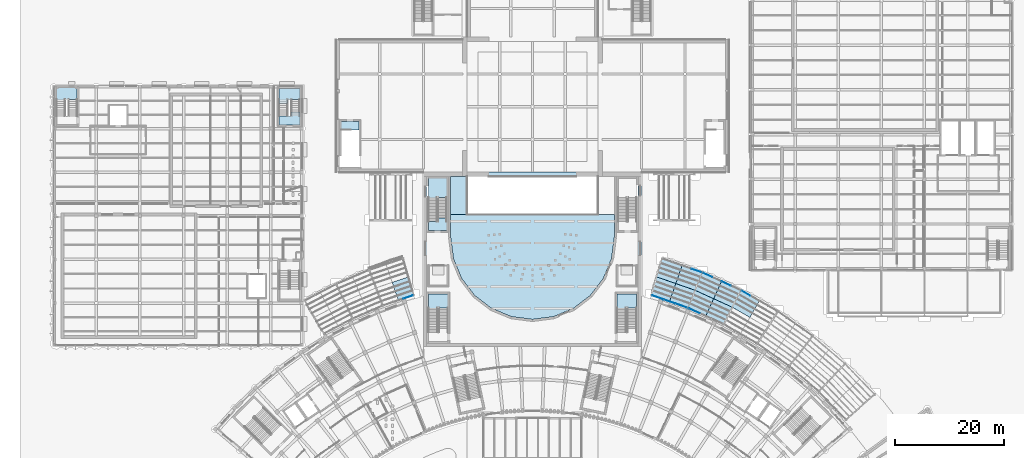
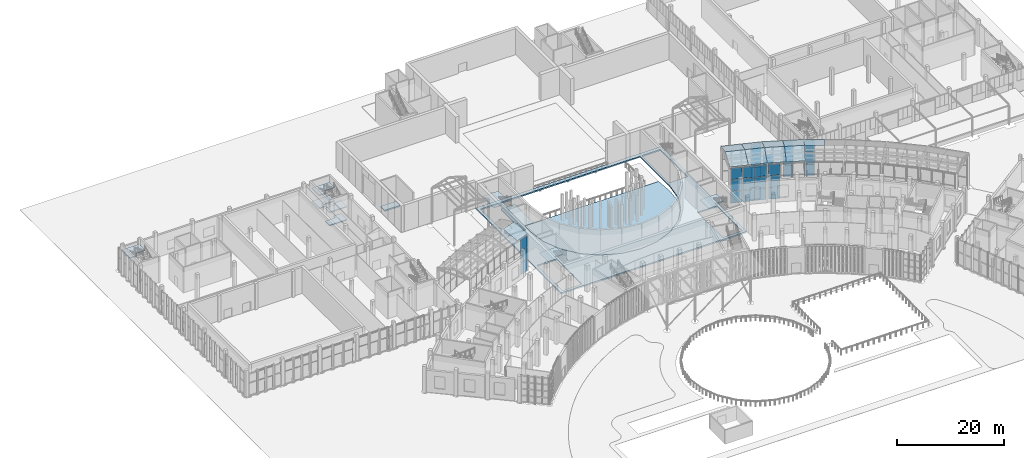
# One storey, part 84 of 155: 36 plates, 13 slabs, 11 elements without a shape of their own.
"""IFC4 building model written with IfcOpenShell, lengths in metres."""

from ifc_helpers import new_model, si_unit, direction, frame, origin, origin_2d, place, context, subcontext, project, spatial, polyline, rectangle, outline, extrude, material, layer, layer_set, type_object, element, aggregate, save


model = new_model("IFC4")

# Units and contexts
model_context = context("Model", 3, precision=1e-05, world=origin(), true_north=direction((0.0, 1.0)))
body_context = subcontext(model_context, "Body", "Model", "MODEL_VIEW")
ifc_project = project(units=[si_unit("LENGTHUNIT", "METRE"), si_unit("AREAUNIT", "SQUARE_METRE"), si_unit("VOLUMEUNIT", "CUBIC_METRE"), si_unit("PLANEANGLEUNIT", "RADIAN"), si_unit("MASSUNIT", "GRAM", prefix="KILO")], contexts=[model_context])

# Site, building, storey
site_placement = place(None, origin())
site = spatial("IfcSite", under=ifc_project, at=site_placement, CompositionType="ELEMENT")
building_placement = place(site_placement, origin())
building = spatial("IfcBuilding", under=site, at=building_placement, Name="Lunette Opera House", CompositionType="ELEMENT")
storey_placement = place(building_placement, origin())
storey = spatial("IfcBuildingStorey", under=building, at=storey_placement, Name="L00", CompositionType="ELEMENT", Elevation=0.0)

# Slabs
ifc_material_1 = material(Name="Concrete C35/45", Category="concrete")
ifc_layer_1 = layer(ifc_material_1, 0.199951171875)
ifc_layer_set_1 = layer_set([ifc_layer_1], Name="Concrete C35/45")
slab_type_1 = type_object("IfcSlabType", Name="CORE LANDING SLAB 200", PredefinedType="LANDING", material=ifc_layer_set_1)
slab_1_placement = place(storey_placement, frame((0.0, 0.0, -0.199951171875)))
element("IfcSlab", 1, at=slab_1_placement, inside=storey, type_object=slab_type_1, Name="ST17 floor landing", PredefinedType="LANDING", context=body_context, shape_type="SweptSolid", body=[
    extrude(outline(polyline([(53.3349609375, 104.699951171875), (49.5, 104.699951171875), (49.5, 106.31005859375), (51.10009765625, 106.31005859375), (51.10009765625, 106.300048828125), (51.735107421875, 106.300048828125), (51.735107421875, 107.0), (53.3349609375, 107.0), (53.3349609375, 104.699951171875)])), origin(), (0.0, 0.0, 1.0), 0.199951171875),
])
ifc_material_2 = material(Name="Concrete C35/45", Category="concrete")
ifc_layer_2 = layer(ifc_material_2, 0.300048828125)
ifc_layer_set_2 = layer_set([ifc_layer_2], Name="Concrete C35/45")
slab_type_2 = type_object("IfcSlabType", Name="CORE LANDING SLAB 300", PredefinedType="LANDING", material=ifc_layer_set_2)
slab_2_placement = place(storey_placement, frame((0.0, 0.0, -0.300048828125)))
element("IfcSlab", 2, at=slab_2_placement, inside=storey, type_object=slab_type_2, Name="ST10 floor landing", PredefinedType="LANDING", context=body_context, shape_type="SweptSolid", body=[
    extrude(outline(polyline([(76.89990234375, 85.300048828125), (76.89990234375, 86.929931640625), (78.52001953125, 86.929931640625), (78.52001953125, 86.919921875), (78.679931640625, 86.919921875), (78.679931640625, 87.6201171875), (80.300048828125, 87.6201171875), (80.300048828125, 85.300048828125), (76.89990234375, 85.300048828125)])), origin(), (0.0, 0.0, 1.0), 0.300048828125),
])
slab_3_placement = place(storey_placement, frame((0.0, 0.0, -0.300048828125)))
element("IfcSlab", 3, at=slab_3_placement, inside=storey, type_object=slab_type_2, Name="ST13 floor landing", PredefinedType="LANDING", context=body_context, shape_type="SweptSolid", body=[
    extrude(outline(polyline([(64.199951171875, 103.739990234375), (62.64990234375, 103.739990234375), (62.64990234375, 103.75), (60.89990234375, 103.75), (60.89990234375, 105.300048828125), (64.199951171875, 105.300048828125), (64.199951171875, 103.739990234375)])), origin(), (0.0, 0.0, 1.0), 0.300048828125),
])

# Curtain wall, plates
ifc_material_3 = material(Name="Aluminium", Category="aluminium")
ifc_layer_3 = layer(ifc_material_3, 0.139892578125)
ifc_layer_set_3 = layer_set([ifc_layer_3], Name="Aluminium")
curtain_wall_type = type_object("IfcCurtainWallType", Name="PASSAGE CURTAIN WALL", PredefinedType="NOTDEFINED", material=ifc_layer_set_3)
curtain_wall_1_placement = place(storey_placement, origin())
curtain_wall_1 = element("IfcCurtainWall", 4, at=curtain_wall_1_placement, inside=storey, type_object=curtain_wall_type, Name="Passage Curtain Wall EI1 L00", PredefinedType="NOTDEFINED")
ifc_material_4 = material(Name="Laminated glass", Category="glass")
ifc_layer_4 = layer(ifc_material_4, 0.028076171875)
ifc_layer_set_4 = layer_set([ifc_layer_4], Name="Laminated glass")
plate_type_1 = type_object("IfcPlateType", Name="CURTAIN PANEL LAMINATED GLASS 28", PredefinedType="CURTAIN_PANEL", material=ifc_layer_set_4)
plate_1_placement = place(storey_placement, frame((118.991943359375, 73.016357421875, 0.06005859375), z_axis=(0.0, 0.0, 1.0), x_axis=(0.944461387328, -0.328622409228, 0.0)))
plate_1 = element("IfcPlate", 5, at=plate_1_placement, type_object=plate_type_1, Name="PP-X2001 panel 1.1", PredefinedType="CURTAIN_PANEL", context=body_context, shape_type="SweptSolid", body=[
    extrude(rectangle(XDim=2.1962890625, YDim=0.028076171875, at=origin_2d()), origin(), (0.0, 0.0, 1.0), 2.610107421875),
])
plate_2_placement = place(storey_placement, frame((118.991943359375, 73.016357421875, 2.72998046875), z_axis=(0.0, 0.0, 1.0), x_axis=(0.944461387328, -0.328622409228, 0.0)))
plate_2 = element("IfcPlate", 6, at=plate_2_placement, type_object=plate_type_1, Name="PP-X2001 panel 1.2", PredefinedType="CURTAIN_PANEL", context=body_context, shape_type="SweptSolid", body=[
    extrude(rectangle(XDim=2.1962890625, YDim=0.028076171875, at=origin_2d()), origin(), (0.0, 0.0, 1.0), 2.639892578125),
])
plate_3_placement = place(storey_placement, frame((118.991943359375, 73.016357421875, 5.43017578125), z_axis=(0.0, 0.0, 1.0), x_axis=(0.944461387328, -0.328622409228, 0.0)))
plate_3 = element("IfcPlate", 7, at=plate_3_placement, type_object=plate_type_1, Name="PP-X2001 panel 1.3", PredefinedType="CURTAIN_PANEL", context=body_context, shape_type="SweptSolid", body=[
    extrude(rectangle(XDim=2.1962890625, YDim=0.028076171875, at=origin_2d()), origin(), (0.0, 0.0, 1.0), 2.610107421875),
])
plate_4_placement = place(storey_placement, frame((121.136962890625, 72.27001953125, 0.06005859375), z_axis=(0.0, 0.0, 1.0), x_axis=(0.944461387328, -0.328622409228, 0.0)))
plate_4 = element("IfcPlate", 8, at=plate_4_placement, type_object=plate_type_1, Name="PP-X2001 panel 2.1", PredefinedType="CURTAIN_PANEL", context=body_context, shape_type="SweptSolid", body=[
    extrude(rectangle(XDim=2.226318359375, YDim=0.028076171875, at=origin_2d()), origin(), (0.0, 0.0, 1.0), 2.610107421875),
])
plate_5_placement = place(storey_placement, frame((121.136962890625, 72.27001953125, 2.72998046875), z_axis=(0.0, 0.0, 1.0), x_axis=(0.944461387328, -0.328622409228, 0.0)))
plate_5 = element("IfcPlate", 9, at=plate_5_placement, type_object=plate_type_1, Name="PP-X2001 panel 2.2", PredefinedType="CURTAIN_PANEL", context=body_context, shape_type="SweptSolid", body=[
    extrude(rectangle(XDim=2.226318359375, YDim=0.028076171875, at=origin_2d()), origin(), (0.0, 0.0, 1.0), 2.639892578125),
])
plate_6_placement = place(storey_placement, frame((121.136962890625, 72.27001953125, 5.43017578125), z_axis=(0.0, 0.0, 1.0), x_axis=(0.944461387328, -0.328622409228, 0.0)))
plate_6 = element("IfcPlate", 10, at=plate_6_placement, type_object=plate_type_1, Name="PP-X2001 panel 2.3", PredefinedType="CURTAIN_PANEL", context=body_context, shape_type="SweptSolid", body=[
    extrude(rectangle(XDim=2.226318359375, YDim=0.028076171875, at=origin_2d()), origin(), (0.0, 0.0, 1.0), 2.610107421875),
])
plate_7_placement = place(storey_placement, frame((123.2822265625, 71.523681640625, 0.06005859375), z_axis=(0.0, 0.0, 1.0), x_axis=(0.944461387328, -0.328622409228, 0.0)))
plate_7 = element("IfcPlate", 11, at=plate_7_placement, type_object=plate_type_1, Name="PP-X2001 panel 3.1", PredefinedType="CURTAIN_PANEL", context=body_context, shape_type="SweptSolid", body=[
    extrude(rectangle(XDim=2.1962890625, YDim=0.028076171875, at=origin_2d()), origin(), (0.0, 0.0, 1.0), 2.610107421875),
])
plate_8_placement = place(storey_placement, frame((123.2822265625, 71.523681640625, 2.72998046875), z_axis=(0.0, 0.0, 1.0), x_axis=(0.944461387328, -0.328622409228, 0.0)))
plate_8 = element("IfcPlate", 12, at=plate_8_placement, type_object=plate_type_1, Name="PP-X2001 panel 3.2", PredefinedType="CURTAIN_PANEL", context=body_context, shape_type="SweptSolid", body=[
    extrude(rectangle(XDim=2.1962890625, YDim=0.028076171875, at=origin_2d()), origin(), (0.0, 0.0, 1.0), 2.639892578125),
])
plate_9_placement = place(storey_placement, frame((123.2822265625, 71.523681640625, 5.43017578125), z_axis=(0.0, 0.0, 1.0), x_axis=(0.944461387328, -0.328622409228, 0.0)))
plate_9 = element("IfcPlate", 13, at=plate_9_placement, type_object=plate_type_1, Name="PP-X2001 panel 3.3", PredefinedType="CURTAIN_PANEL", context=body_context, shape_type="SweptSolid", body=[
    extrude(rectangle(XDim=2.1962890625, YDim=0.028076171875, at=origin_2d()), origin(), (0.0, 0.0, 1.0), 2.610107421875),
])
aggregate(curtain_wall_1, [plate_1, plate_2, plate_3, plate_4, plate_5, plate_6, plate_7, plate_8, plate_9])

curtain_wall_2_placement = place(storey_placement, origin())
curtain_wall_2 = element("IfcCurtainWall", 14, at=curtain_wall_2_placement, inside=storey, type_object=curtain_wall_type, Name="Passage Curtain Wall EI2 L00", PredefinedType="NOTDEFINED")
plate_10_placement = place(storey_placement, frame((125.707763671875, 70.551025390625, 0.06005859375), z_axis=(0.0, 0.0, 1.0), x_axis=(0.909696383384, -0.415273993958, 0.0)))
plate_10 = element("IfcPlate", 15, at=plate_10_placement, type_object=plate_type_1, Name="PP-X2002 panel 1.1", PredefinedType="CURTAIN_PANEL", context=body_context, shape_type="SweptSolid", body=[
    extrude(rectangle(XDim=2.19677734375, YDim=0.028076171875, at=origin_2d()), origin(), (0.0, 0.0, 1.0), 2.610107421875),
])
plate_11_placement = place(storey_placement, frame((125.707763671875, 70.551025390625, 2.72998046875), z_axis=(0.0, 0.0, 1.0), x_axis=(0.909696383384, -0.415273993958, 0.0)))
plate_11 = element("IfcPlate", 16, at=plate_11_placement, type_object=plate_type_1, Name="PP-X2002 panel 1.2", PredefinedType="CURTAIN_PANEL", context=body_context, shape_type="SweptSolid", body=[
    extrude(rectangle(XDim=2.19677734375, YDim=0.028076171875, at=origin_2d()), origin(), (0.0, 0.0, 1.0), 2.639892578125),
])
plate_12_placement = place(storey_placement, frame((125.707763671875, 70.551025390625, 5.43017578125), z_axis=(0.0, 0.0, 1.0), x_axis=(0.909696383384, -0.415273993958, 0.0)))
plate_12 = element("IfcPlate", 17, at=plate_12_placement, type_object=plate_type_1, Name="PP-X2002 panel 1.3", PredefinedType="CURTAIN_PANEL", context=body_context, shape_type="SweptSolid", body=[
    extrude(rectangle(XDim=2.19677734375, YDim=0.028076171875, at=origin_2d()), origin(), (0.0, 0.0, 1.0), 2.610107421875),
])
aggregate(curtain_wall_2, [plate_10, plate_11, plate_12])

curtain_wall_3_placement = place(storey_placement, origin())
curtain_wall_3 = element("IfcCurtainWall", 18, at=curtain_wall_3_placement, inside=storey, type_object=curtain_wall_type, Name="Passage Curtain Wall EO1 L00", PredefinedType="NOTDEFINED")
plate_13_placement = place(storey_placement, frame((126.080810546875, 77.95263671875, 0.06005859375), z_axis=(0.0, 0.0, 1.0), x_axis=(0.94446267546, -0.328618707109, 0.0)))
plate_13 = element("IfcPlate", 19, at=plate_13_placement, type_object=plate_type_1, Name="PP-X2007 panel 4.1", PredefinedType="CURTAIN_PANEL", context=body_context, shape_type="SweptSolid", body=[
    extrude(rectangle(XDim=1.788330078125, YDim=0.028076171875, at=origin_2d()), origin(), (0.0, 0.0, 1.0), 2.610107421875),
])
plate_14_placement = place(storey_placement, frame((126.080810546875, 77.95263671875, 2.72998046875), z_axis=(0.0, 0.0, 1.0), x_axis=(0.94446267546, -0.328618707109, 0.0)))
plate_14 = element("IfcPlate", 20, at=plate_14_placement, type_object=plate_type_1, Name="PP-X2007 panel 4.2", PredefinedType="CURTAIN_PANEL", context=body_context, shape_type="SweptSolid", body=[
    extrude(rectangle(XDim=1.788330078125, YDim=0.028076171875, at=origin_2d()), origin(), (0.0, 0.0, 1.0), 2.639892578125),
])
plate_15_placement = place(storey_placement, frame((126.080810546875, 77.95263671875, 5.43017578125), z_axis=(0.0, 0.0, 1.0), x_axis=(0.94446267546, -0.328618707109, 0.0)))
plate_15 = element("IfcPlate", 21, at=plate_15_placement, type_object=plate_type_1, Name="PP-X2007 panel 4.3", PredefinedType="CURTAIN_PANEL", context=body_context, shape_type="SweptSolid", body=[
    extrude(rectangle(XDim=1.788330078125, YDim=0.028076171875, at=origin_2d()), origin(), (0.0, 0.0, 1.0), 2.610107421875),
])
aggregate(curtain_wall_3, [plate_13, plate_14, plate_15])

curtain_wall_4_placement = place(storey_placement, origin())
curtain_wall_4 = element("IfcCurtainWall", 22, at=curtain_wall_4_placement, inside=storey, type_object=curtain_wall_type, Name="Passage Curtain Wall EO2 L00", PredefinedType="NOTDEFINED")
plate_16_placement = place(storey_placement, frame((128.128173828125, 77.1318359375, 0.06005859375), z_axis=(0.0, 0.0, 1.0), x_axis=(0.909727345747, -0.415206161321, 0.0)))
plate_16 = element("IfcPlate", 23, at=plate_16_placement, type_object=plate_type_1, Name="PP-X2008 panel 1.1", PredefinedType="CURTAIN_PANEL", context=body_context, shape_type="SweptSolid", body=[
    extrude(rectangle(XDim=1.78857421875, YDim=0.028076171875, at=origin_2d()), origin(), (0.0, 0.0, 1.0), 2.610107421875),
])
plate_17_placement = place(storey_placement, frame((128.128173828125, 77.1318359375, 2.72998046875), z_axis=(0.0, 0.0, 1.0), x_axis=(0.909727345747, -0.415206161321, 0.0)))
plate_17 = element("IfcPlate", 24, at=plate_17_placement, type_object=plate_type_1, Name="PP-X2008 panel 1.2", PredefinedType="CURTAIN_PANEL", context=body_context, shape_type="SweptSolid", body=[
    extrude(rectangle(XDim=1.78857421875, YDim=0.028076171875, at=origin_2d()), origin(), (0.0, 0.0, 1.0), 2.639892578125),
])
plate_18_placement = place(storey_placement, frame((131.532470703125, 75.577880859375, 0.06005859375), z_axis=(0.0, 0.0, 1.0), x_axis=(0.909727345747, -0.415206161321, 0.0)))
plate_18 = element("IfcPlate", 25, at=plate_18_placement, type_object=plate_type_1, Name="PP-X2008 panel 3.1", PredefinedType="CURTAIN_PANEL", context=body_context, shape_type="SweptSolid", body=[
    extrude(rectangle(XDim=1.818603515625, YDim=0.028076171875, at=origin_2d()), origin(), (0.0, 0.0, 1.0), 2.610107421875),
])
plate_19_placement = place(storey_placement, frame((131.532470703125, 75.577880859375, 2.72998046875), z_axis=(0.0, 0.0, 1.0), x_axis=(0.909727345747, -0.415206161321, 0.0)))
plate_19 = element("IfcPlate", 26, at=plate_19_placement, type_object=plate_type_1, Name="PP-X2008 panel 3.2", PredefinedType="CURTAIN_PANEL", context=body_context, shape_type="SweptSolid", body=[
    extrude(rectangle(XDim=1.818603515625, YDim=0.028076171875, at=origin_2d()), origin(), (0.0, 0.0, 1.0), 2.639892578125),
])
plate_20_placement = place(storey_placement, frame((131.532470703125, 75.577880859375, 5.43017578125), z_axis=(0.0, 0.0, 1.0), x_axis=(0.909727345747, -0.415206161321, 0.0)))
plate_20 = element("IfcPlate", 27, at=plate_20_placement, type_object=plate_type_1, Name="PP-X2008 panel 3.3", PredefinedType="CURTAIN_PANEL", context=body_context, shape_type="SweptSolid", body=[
    extrude(rectangle(XDim=1.818603515625, YDim=0.028076171875, at=origin_2d()), origin(), (0.0, 0.0, 1.0), 2.610107421875),
])
aggregate(curtain_wall_4, [plate_16, plate_17, plate_18, plate_19, plate_20])

curtain_wall_5_placement = place(storey_placement, origin())
curtain_wall_5 = element("IfcCurtainWall", 28, at=curtain_wall_5_placement, inside=storey, type_object=curtain_wall_type, Name="Passage Curtain Wall EO3 L00", PredefinedType="NOTDEFINED")
plate_21_placement = place(storey_placement, frame((135.189208984375, 73.79541015625, 0.06005859375), z_axis=(0.0, 0.0, 1.0), x_axis=(0.866937932475, -0.498416112536, 0.0)))
plate_21 = element("IfcPlate", 29, at=plate_21_placement, type_object=plate_type_1, Name="PP-X2009 panel 1.1", PredefinedType="CURTAIN_PANEL", context=body_context, shape_type="SweptSolid", body=[
    extrude(rectangle(XDim=1.788330078125, YDim=0.028076171875, at=origin_2d()), origin(), (0.0, 0.0, 1.0), 2.610107421875),
])
plate_22_placement = place(storey_placement, frame((135.189208984375, 73.79541015625, 2.72998046875), z_axis=(0.0, 0.0, 1.0), x_axis=(0.866937932475, -0.498416112536, 0.0)))
plate_22 = element("IfcPlate", 30, at=plate_22_placement, type_object=plate_type_1, Name="PP-X2009 panel 1.2", PredefinedType="CURTAIN_PANEL", context=body_context, shape_type="SweptSolid", body=[
    extrude(rectangle(XDim=1.788330078125, YDim=0.028076171875, at=origin_2d()), origin(), (0.0, 0.0, 1.0), 2.639892578125),
])
plate_23_placement = place(storey_placement, frame((135.189208984375, 73.79541015625, 5.43017578125), z_axis=(0.0, 0.0, 1.0), x_axis=(0.866937932475, -0.498416112536, 0.0)))
plate_23 = element("IfcPlate", 31, at=plate_23_placement, type_object=plate_type_1, Name="PP-X2009 panel 1.3", PredefinedType="CURTAIN_PANEL", context=body_context, shape_type="SweptSolid", body=[
    extrude(rectangle(XDim=1.788330078125, YDim=0.028076171875, at=origin_2d()), origin(), (0.0, 0.0, 1.0), 2.610107421875),
])
aggregate(curtain_wall_5, [plate_21, plate_22, plate_23])

curtain_wall_6_placement = place(storey_placement, origin())
curtain_wall_6 = element("IfcCurtainWall", 32, at=curtain_wall_6_placement, inside=storey, type_object=curtain_wall_type, Name="Passage Curtain Wall WI3 L00", PredefinedType="NOTDEFINED")
plate_24_placement = place(storey_placement, frame((73.18603515625, 73.0869140625, 0.06005859375), z_axis=(0.0, 0.0, 1.0), x_axis=(0.946865501729, 0.321629789721, 0.0)))
plate_24 = element("IfcPlate", 33, at=plate_24_placement, type_object=plate_type_1, Name="PP-X2015 panel 3.1", PredefinedType="CURTAIN_PANEL", context=body_context, shape_type="SweptSolid", body=[
    extrude(rectangle(XDim=1.81494140625, YDim=0.028076171875, at=origin_2d()), origin(), (0.0, 0.0, 1.0), 2.610107421875),
])
plate_25_placement = place(storey_placement, frame((73.18603515625, 73.0869140625, 2.72998046875), z_axis=(0.0, 0.0, 1.0), x_axis=(0.946865501729, 0.321629789721, 0.0)))
plate_25 = element("IfcPlate", 34, at=plate_25_placement, type_object=plate_type_1, Name="PP-X2015 panel 3.2", PredefinedType="CURTAIN_PANEL", context=body_context, shape_type="SweptSolid", body=[
    extrude(rectangle(XDim=1.81494140625, YDim=0.028076171875, at=origin_2d()), origin(), (0.0, 0.0, 1.0), 2.639892578125),
])
plate_26_placement = place(storey_placement, frame((73.18603515625, 73.0869140625, 5.43017578125), z_axis=(0.0, 0.0, 1.0), x_axis=(0.946865501729, 0.321629789721, 0.0)))
plate_26 = element("IfcPlate", 35, at=plate_26_placement, type_object=plate_type_1, Name="PP-X2015 panel 3.3", PredefinedType="CURTAIN_PANEL", context=body_context, shape_type="SweptSolid", body=[
    extrude(rectangle(XDim=1.81494140625, YDim=0.028076171875, at=origin_2d()), origin(), (0.0, 0.0, 1.0), 2.610107421875),
])
aggregate(curtain_wall_6, [plate_24, plate_25, plate_26])

# Slabs
ifc_material_5 = material(Name="Concrete C35/45", Category="concrete")
ifc_layer_5 = layer(ifc_material_5, 0.300048828125)
ifc_layer_set_5 = layer_set([ifc_layer_5], Name="Concrete C35/45")
slab_type_3 = type_object("IfcSlabType", Name="FLOOR SLAB 300", PredefinedType="FLOOR", material=ifc_layer_set_5)
slab_4_placement = place(storey_placement, frame((0.0, 0.0, -0.300048828125)))
element("IfcSlab", 36, at=slab_4_placement, inside=storey, type_object=slab_type_3, Name="slab-AU-L00-F1", PredefinedType="FLOOR", context=body_context, shape_type="SweptSolid", body=[
    extrude(outline(polyline([(116.0, 96.0), (76.0, 96.0), (76.0, 64.0), (116.0, 64.0), (116.0, 96.0)]), holes=[polyline([(84.0, 95.199951171875), (108.0, 95.199951171875), (111.0, 95.199951171875), (111.0, 84.0), (110.489013671875, 80.117919921875), (108.989990234375, 76.5), (106.60693359375, 73.39306640625), (103.5, 71.010009765625), (99.882080078125, 69.510986328125), (96.0, 69.0), (92.117919921875, 69.510986328125), (88.5, 71.010009765625), (85.39306640625, 73.39306640625), (83.010009765625, 76.5), (81.510986328125, 80.117919921875), (81.0, 84.0), (81.0, 95.199951171875), (84.0, 95.199951171875)]), polyline([(80.800048828125, 64.60009765625), (76.60009765625, 64.60009765625), (76.60009765625, 74.0), (80.800048828125, 74.0), (80.800048828125, 64.60009765625)]), polyline([(115.39990234375, 64.60009765625), (111.199951171875, 64.60009765625), (111.199951171875, 74.0), (115.39990234375, 74.0), (115.39990234375, 64.60009765625)]), polyline([(80.60009765625, 85.0), (76.60009765625, 85.0), (76.60009765625, 95.199951171875), (80.60009765625, 95.199951171875), (80.60009765625, 85.0)]), polyline([(115.39990234375, 85.0), (111.39990234375, 85.0), (111.39990234375, 95.199951171875), (115.39990234375, 95.199951171875), (115.39990234375, 85.0)])]), origin(), (0.0, 0.0, 1.0), 0.300048828125),
])
slab_5_placement = place(storey_placement, frame((0.0, 0.0, -1.800048828125)))
element("IfcSlab", 37, at=slab_5_placement, inside=storey, type_object=slab_type_3, Name="slab-AU-L00-FS1", PredefinedType="FLOOR", context=body_context, shape_type="SweptSolid", body=[
    extrude(outline(polyline([(84.0, 95.199951171875), (81.0, 95.199951171875), (81.0, 88.199951171875), (84.0, 88.199951171875), (84.0, 95.199951171875)])), origin(), (0.0, 0.0, 1.0), 0.300048828125),
])

# Plates
ifc_material_6 = material(Name="Laminated glass", Category="glass")
ifc_layer_6 = layer(ifc_material_6, 0.02001953125)
ifc_layer_set_6 = layer_set([ifc_layer_6], Name="Laminated glass")
plate_type_2 = type_object("IfcPlateType", Name="PASSAGE ROOF GLASS 20", PredefinedType="SHEET", material=ifc_layer_set_6)
plate_27_placement = place(storey_placement, frame((71.39697265625, 72.47900390625, 8.339111328125), z_axis=(0.096455988769, -0.284046338686, 0.953946497299), x_axis=(0.946867877863, 0.321622793347, 2.5891909e-05)))
element("IfcPlate", 38, at=plate_27_placement, inside=storey, type_object=plate_type_2, Name="Passage roof glass W3A10", PredefinedType="SHEET", context=body_context, shape_type="SweptSolid", body=[
    extrude(outline(polyline([(0.0, 0.0), (3.0066831563015124, -1.1102230246251565e-16), (3.144957649475433, 3.6629350328907693), (2.9713929072305605e-06, 3.6634659994371015), (0.0, 0.0)])), origin(), (0.0, 0.0, -1.0), 0.02001953125),
])
plate_28_placement = place(storey_placement, frame((117.756103515625, 73.446044921875, 8.339111328125), z_axis=(-0.098591145782, -0.283428285251, 0.953912046833), x_axis=(0.944490247157, -0.328539454287, 1.049867e-06)))
element("IfcPlate", 39, at=plate_28_placement, inside=storey, type_object=plate_type_2, Name="Passage roof glass E1A00", PredefinedType="SHEET", context=body_context, shape_type="SweptSolid", body=[
    extrude(outline(polyline([(0.0, 0.0), (3.5795594467622065, 0.0), (3.5799120399758158, 3.661856859083461), (-0.16379743763171825, 3.6618824799152803), (0.0, 0.0)])), origin(), (0.0, 0.0, -1.0), 0.02001953125),
])
plate_29_placement = place(storey_placement, frame((121.136962890625, 72.27001953125, 8.339111328125), z_axis=(-0.098602103688, -0.283439776295, 0.953907499898), x_axis=(0.944496297081, -0.328522061072, 1.373542e-05)))
element("IfcPlate", 40, at=plate_29_placement, inside=storey, type_object=plate_type_2, Name="Passage roof glass E1A10", PredefinedType="SHEET", context=body_context, shape_type="SweptSolid", body=[
    extrude(outline(polyline([(0.0, 0.0), (3.579790035757607, 4.440892098500626e-16), (3.7434485659543215, 3.661521690157713), (0.00043085955334725004, 3.6618568503502655), (0.0, 0.0)])), origin(), (0.0, 0.0, -1.0), 0.02001953125),
])
plate_30_placement = place(storey_placement, frame((119.743896484375, 80.156982421875, 8.339111328125), z_axis=(0.098566764574, 0.283395009308, 0.953924452785), x_axis=(0.944539484969, -0.328397868557, -3.5520663e-05)))
element("IfcPlate", 41, at=plate_30_placement, inside=storey, type_object=plate_type_2, Name="Passage roof glass E1B00", PredefinedType="SHEET", context=body_context, shape_type="SweptSolid", body=[
    extrude(outline(polyline([(0.0, 0.0), (3.90684695180016, -2.220446049250313e-16), (3.9060229559435107, -3.6628131424492123), (0.16323592843953078, -3.6619075504173684), (0.0, 0.0)])), origin(), (0.0, 0.0, -1.0), 0.02001953125),
])
plate_31_placement = place(storey_placement, frame((123.43408203125, 78.8740234375, 8.339111328125), z_axis=(0.098559931211, 0.283413664041, 0.953919616631), x_axis=(0.944464014779, -0.328614854036, 4.9932418e-05)))
element("IfcPlate", 42, at=plate_31_placement, inside=storey, type_object=plate_type_2, Name="Passage roof glass E1B10", PredefinedType="SHEET", context=body_context, shape_type="SweptSolid", body=[
    extrude(outline(polyline([(0.0, 0.0), (3.906937167176419, 0.0), (3.74369175576223, -3.661540126570756), (7.262361248744223e-05, -3.6628132315931965), (0.0, 0.0)])), origin(), (0.0, 0.0, -1.0), 0.02001953125),
])
plate_32_placement = place(storey_placement, frame((124.51806640625, 71.093994140625, 8.339111328125), z_axis=(-0.124626270248, -0.272993259714, 0.953909310634), x_axis=(0.909664684082, -0.415343426798, -1.8701179e-05)))
element("IfcPlate", 43, at=plate_32_placement, inside=storey, type_object=plate_type_2, Name="Passage roof glass E2A00", PredefinedType="SHEET", context=body_context, shape_type="SweptSolid", body=[
    extrude(outline(polyline([(0.0, 0.0), (3.5802694575879324, 4.440892098500626e-16), (3.579487881127074, 3.6619863233622105), (-0.16347344794699373, 3.6615299577564757), (0.0, 0.0)])), origin(), (0.0, 0.0, -1.0), 0.02001953125),
])
plate_33_placement = place(storey_placement, frame((127.77490234375, 69.60693359375, 8.339111328125), z_axis=(-0.124587983776, -0.27300088036, 0.953912130975), x_axis=(0.909754532158, -0.415146589927, 9.537948e-06)))
element("IfcPlate", 44, at=plate_33_placement, inside=storey, type_object=plate_type_2, Name="Passage roof glass E2A10", PredefinedType="SHEET", context=body_context, shape_type="SweptSolid", body=[
    extrude(outline(polyline([(0.0, 0.0), (3.5790962748241117, 0.0), (3.7426431739740047, 3.6617536929602954), (5.295469835135742e-06, 3.661986407261995), (0.0, 0.0)])), origin(), (0.0, 0.0, -1.0), 0.02001953125),
])
plate_34_placement = place(storey_placement, frame((127.1240234375, 77.590087890625, 8.339111328125), z_axis=(0.124624676934, 0.272981002946, 0.953913026397), x_axis=(0.909721763233, -0.415218391569, -2.8354651e-05)))
element("IfcPlate", 45, at=plate_34_placement, inside=storey, type_object=plate_type_2, Name="Passage roof glass E2B00", PredefinedType="SHEET", context=body_context, shape_type="SweptSolid", body=[
    extrude(outline(polyline([(0.0, 0.0), (3.906623706289082, -2.220446049250313e-16), (3.9062071388758444, -3.6622764924632665), (0.1629416682443077, -3.661553659844929), (0.0, 0.0)])), origin(), (0.0, 0.0, -1.0), 0.02001953125),
])
plate_35_placement = place(storey_placement, frame((130.677978515625, 75.968017578125, 8.339111328125), z_axis=(0.124574833652, 0.272994031651, 0.953915808394), x_axis=(0.909728087104, -0.415204536501, 2.0059695e-05)))
element("IfcPlate", 46, at=plate_35_placement, inside=storey, type_object=plate_type_2, Name="Passage roof glass E2B10", PredefinedType="SHEET", context=body_context, shape_type="SweptSolid", body=[
    extrude(outline(polyline([(0.0, 0.0), (3.9066237071511565, 0.0), (3.7433318204794115, -3.661765073077311), (-0.000416572592390568, -3.662276493382269), (0.0, 0.0)])), origin(), (0.0, 0.0, -1.0), 0.02001953125),
])
plate_36_placement = place(storey_placement, frame((134.23193359375, 74.345947265625, 8.339111328125), z_axis=(0.149615349024, 0.260155635699, 0.953904760734), x_axis=(0.866853191351, -0.498563480957, 1.0018346e-05)))
element("IfcPlate", 47, at=plate_36_placement, inside=storey, type_object=plate_type_2, Name="Passage roof glass E3B00", PredefinedType="SHEET", context=body_context, shape_type="SweptSolid", body=[
    extrude(outline(polyline([(0.0, 0.0), (3.9072002778736317, 0.0), (3.907615140149245, -3.661456347083683), (0.16448368233614075, -3.661711732779062), (0.0, 0.0)])), origin(), (0.0, 0.0, -1.0), 0.02001953125),
])

# Stair, slab
ifc_material_7 = material(Name="Concrete C35/45", Category="concrete")
stair_type_1 = type_object("IfcStairType", Name="DOGLEG STAIR 1620", PredefinedType="HALF_TURN_STAIR", material=ifc_material_7)
stair_1_placement = place(storey_placement, origin())
stair_1 = element("IfcStair", 48, at=stair_1_placement, inside=storey, type_object=stair_type_1, Name="L00 stair ST10", PredefinedType="HALF_TURN_STAIR")
ifc_material_8 = material(Name="Concrete C35/45", Category="concrete")
ifc_layer_7 = layer(ifc_material_8, 0.199951171875)
ifc_layer_set_7 = layer_set([ifc_layer_7], Name="Concrete C35/45")
slab_type_4 = type_object("IfcSlabType", Name="STAIR LANDING SLAB 200", PredefinedType="LANDING", material=ifc_layer_set_7)
slab_6_placement = place(storey_placement, frame((0.0, 0.0, 2.800048828125)))
slab_6 = element("IfcSlab", 49, at=slab_6_placement, type_object=slab_type_4, Name="ST10 landing 1", PredefinedType="LANDING", context=body_context, shape_type="SweptSolid", body=[
    extrude(outline(polyline([(80.300048828125, 91.389892578125), (78.679931640625, 91.389892578125), (78.679931640625, 91.39990234375), (78.52001953125, 91.39990234375), (78.52001953125, 90.699951171875), (76.89990234375, 90.699951171875), (76.89990234375, 94.89990234375), (80.300048828125, 94.89990234375), (80.300048828125, 91.389892578125)])), origin(), (0.0, 0.0, 1.0), 0.199951171875),
])
aggregate(stair_1, [slab_6])

ifc_material_9 = material(Name="Concrete C35/45", Category="concrete")
stair_type_2 = type_object("IfcStairType", Name="DOGLEG STAIR 1600", PredefinedType="HALF_TURN_STAIR", material=ifc_material_9)
stair_2_placement = place(storey_placement, origin())
stair_2 = element("IfcStair", 50, at=stair_2_placement, inside=storey, type_object=stair_type_2, Name="L00 stair ST15", PredefinedType="HALF_TURN_STAIR")
slab_7_placement = place(storey_placement, frame((0.0, 0.0, 4.300048828125)))
slab_7 = element("IfcSlab", 51, at=slab_7_placement, type_object=slab_type_4, Name="ST15 landing 3", PredefinedType="LANDING", context=body_context, shape_type="SweptSolid", body=[
    extrude(outline(polyline([(12.5, 109.330078125), (10.89990234375, 109.330078125), (10.89990234375, 109.340087890625), (10.300048828125, 109.340087890625), (10.300048828125, 108.639892578125), (8.699951171875, 108.639892578125), (8.699951171875, 111.635009765625), (12.5, 111.635009765625), (12.5, 109.330078125)])), origin(), (0.0, 0.0, 1.0), 0.199951171875),
])
aggregate(stair_2, [slab_7])

# Stair, slabs
stair_3_placement = place(storey_placement, origin())
stair_3 = element("IfcStair", 52, at=stair_3_placement, inside=storey, type_object=stair_type_2, Name="L00 stair ST17", PredefinedType="HALF_TURN_STAIR")
slab_8_placement = place(storey_placement, frame((0.0, 0.0, 1.300048828125)))
slab_8 = element("IfcSlab", 53, at=slab_8_placement, type_object=slab_type_4, Name="ST17 landing 1", PredefinedType="LANDING", context=body_context, shape_type="SweptSolid", body=[
    extrude(outline(polyline([(53.3349609375, 109.330078125), (51.735107421875, 109.330078125), (51.735107421875, 109.340087890625), (51.10009765625, 109.340087890625), (51.10009765625, 108.639892578125), (49.5, 108.639892578125), (49.5, 111.3349609375), (53.3349609375, 111.3349609375), (53.3349609375, 109.330078125)])), origin(), (0.0, 0.0, 1.0), 0.199951171875),
])
slab_9_placement = place(storey_placement, frame((0.0, 0.0, 2.800048828125)))
slab_9 = element("IfcSlab", 54, at=slab_9_placement, type_object=slab_type_4, Name="ST17 landing 2", PredefinedType="LANDING", context=body_context, shape_type="SweptSolid", body=[
    extrude(outline(polyline([(53.3349609375, 104.699951171875), (49.5, 104.699951171875), (49.5, 106.31005859375), (51.10009765625, 106.31005859375), (51.10009765625, 106.300048828125), (51.735107421875, 106.300048828125), (51.735107421875, 107.0), (53.3349609375, 107.0), (53.3349609375, 104.699951171875)])), origin(), (0.0, 0.0, 1.0), 0.199951171875),
])
slab_10_placement = place(storey_placement, frame((0.0, 0.0, 4.300048828125)))
slab_10 = element("IfcSlab", 55, at=slab_10_placement, type_object=slab_type_4, Name="ST17 landing 3", PredefinedType="LANDING", context=body_context, shape_type="SweptSolid", body=[
    extrude(outline(polyline([(53.3349609375, 109.330078125), (51.735107421875, 109.330078125), (51.735107421875, 109.340087890625), (51.10009765625, 109.340087890625), (51.10009765625, 108.639892578125), (49.5, 108.639892578125), (49.5, 111.3349609375), (53.3349609375, 111.3349609375), (53.3349609375, 109.330078125)])), origin(), (0.0, 0.0, 1.0), 0.199951171875),
])
aggregate(stair_3, [slab_8, slab_9, slab_10])

# Stair, slab
ifc_material_10 = material(Name="Concrete C35/45", Category="concrete")
stair_type_3 = type_object("IfcStairType", Name="DOGLEG STAIR 1720", PredefinedType="HALF_TURN_STAIR", material=ifc_material_10)
stair_4_placement = place(storey_placement, origin())
stair_4 = element("IfcStair", 56, at=stair_4_placement, inside=storey, type_object=stair_type_3, Name="L00 stair ST7", PredefinedType="HALF_TURN_STAIR")
slab_11_placement = place(storey_placement, frame((0.0, 0.0, 2.800048828125)))
slab_11 = element("IfcSlab", 57, at=slab_11_placement, type_object=slab_type_4, Name="ST7 landing 1", PredefinedType="LANDING", context=body_context, shape_type="SweptSolid", body=[
    extrude(outline(polyline([(80.5, 71.090087890625), (78.780029296875, 71.090087890625), (78.780029296875, 71.10009765625), (78.6201171875, 71.10009765625), (78.6201171875, 70.39990234375), (76.89990234375, 70.39990234375), (76.89990234375, 73.699951171875), (80.5, 73.699951171875), (80.5, 71.090087890625)])), origin(), (0.0, 0.0, 1.0), 0.199951171875),
])
aggregate(stair_4, [slab_11])

stair_5_placement = place(storey_placement, origin())
stair_5 = element("IfcStair", 58, at=stair_5_placement, inside=storey, type_object=stair_type_3, Name="L00 stair ST8", PredefinedType="HALF_TURN_STAIR")
slab_12_placement = place(storey_placement, frame((0.0, 0.0, 2.800048828125)))
slab_12 = element("IfcSlab", 59, at=slab_12_placement, type_object=slab_type_4, Name="ST8 landing 1", PredefinedType="LANDING", context=body_context, shape_type="SweptSolid", body=[
    extrude(outline(polyline([(115.10009765625, 71.090087890625), (113.3798828125, 71.090087890625), (113.3798828125, 71.10009765625), (113.219970703125, 71.10009765625), (113.219970703125, 70.39990234375), (111.5, 70.39990234375), (111.5, 73.699951171875), (115.10009765625, 73.699951171875), (115.10009765625, 71.090087890625)])), origin(), (0.0, 0.0, 1.0), 0.199951171875),
])
aggregate(stair_5, [slab_12])

# Slab
ifc_material_11 = material(Name="Concrete C35/45", Category="concrete")
ifc_layer_8 = layer(ifc_material_11, 0.300048828125)
ifc_layer_set_8 = layer_set([ifc_layer_8], Name="Concrete C35/45")
slab_type_5 = type_object("IfcSlabType", Name="STALLS SLAB 300", PredefinedType="FLOOR", material=ifc_layer_set_8)
slab_13_placement = place(storey_placement, frame((111.0, 84.0, -1.172119140625), z_axis=(0.0, 0.077887380323, 0.996962163769), x_axis=(0.0, 0.996962163769, -0.077887380323)))
element("IfcSlab", 60, at=slab_13_placement, inside=storey, type_object=slab_type_5, Name="slab-AU-L00-STALLS", PredefinedType="FLOOR", context=body_context, shape_type="SweptSolid", body=[
    extrude(outline(polyline([(0.0, 0.0), (4.212730189230269, 0.0), (4.212730189230269, 29.999999999999996), (0.0, 29.999999999999996), (-3.89390417296086, 29.489013671874996), (-7.522872380647166, 27.989990234374996), (-10.639288015301021, 25.606933593749996), (-13.029595111090245, 22.499999999999996), (-14.533173172788171, 18.882080078124996), (-15.04572574582062, 14.999999999999998), (-14.533173172788171, 11.117919921874998), (-13.029595111090245, 7.499999999999999), (-10.639288015301021, 4.393066406249999), (-7.522872380647166, 2.0100097656249996), (-3.89390417296086, 0.5109863281249999), (0.0, 0.0)])), origin(), (0.0, 0.0, -1.0), 0.300048828125),
])

save(model, "model.ifc")
